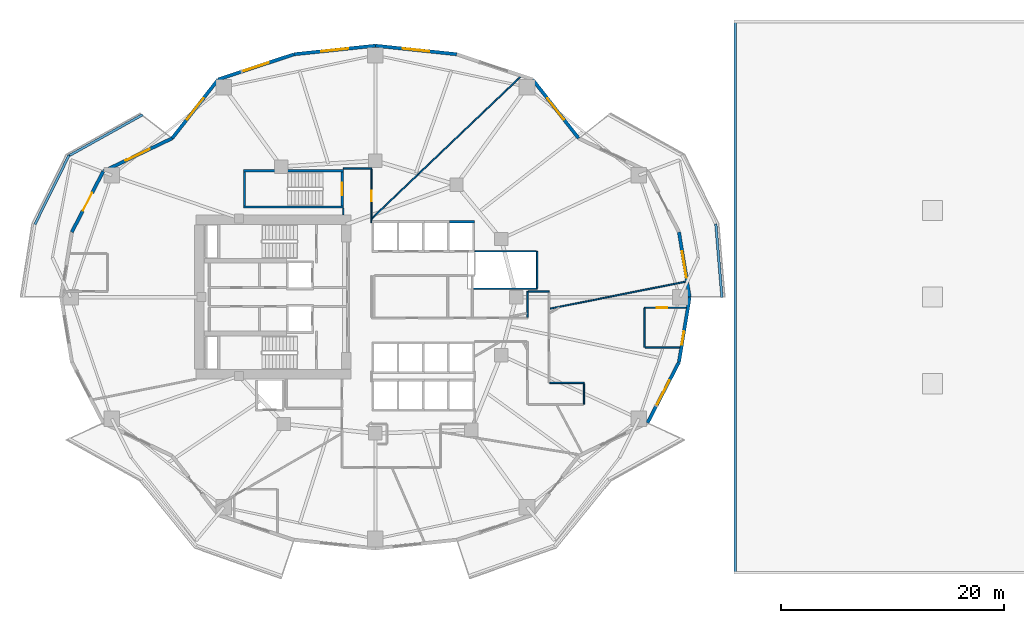
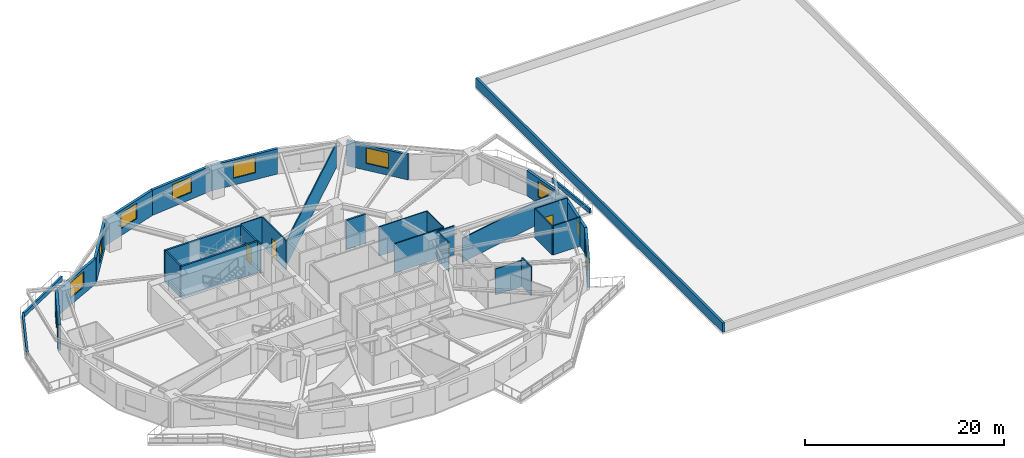
# One storey, part 6 of 13: 34 walls, 9 windows, 4 doors, 13 openings.
"""IFC4 building model written with IfcOpenShell, lengths in metres."""

from ifc_helpers import new_model, si_unit, direction, frame, frame_2d, origin, place, context, subcontext, project, spatial, rectangle, extrude, material, layer, layer_set, type_object, element, fill, save


model = new_model("IFC4")

# Units and contexts
model_context = context("Model", 3, precision=1e-05, world=origin(), true_north=direction((0.0, 1.0)))
body_context = subcontext(model_context, "Body", "Model", "MODEL_VIEW")
ifc_project = project(units=[si_unit("LENGTHUNIT", "METRE"), si_unit("AREAUNIT", "SQUARE_METRE"), si_unit("VOLUMEUNIT", "CUBIC_METRE"), si_unit("PLANEANGLEUNIT", "RADIAN"), si_unit("MASSUNIT", "GRAM", prefix="KILO")], contexts=[model_context])

# Site, building, storey
site_placement = place(None, origin())
site = spatial("IfcSite", under=ifc_project, at=site_placement, CompositionType="ELEMENT")
building_placement = place(site_placement, origin())
building = spatial("IfcBuilding", under=site, at=building_placement, Name="Kolvaren Gate Tower and Convention Centre", CompositionType="ELEMENT")
storey_placement = place(building_placement, frame((0.0, 0.0, 26.5)))
storey = spatial("IfcBuildingStorey", under=building, at=storey_placement, Name="L05", CompositionType="ELEMENT", Elevation=26.5)

# Walls
ifc_material_1 = material(Name="Piedmont Cream Honed Limestone Cladding", Category="masonry")
ifc_layer_1 = layer(ifc_material_1, 0.25)
ifc_layer_set_1 = layer_set([ifc_layer_1], Name="Piedmont Cream Honed Limestone Cladding")
wall_type_1 = type_object("IfcWallType", Name="ARCH-WL-PARAPET-250", PredefinedType="PARAPET", material=ifc_layer_set_1)
wall_1_placement = place(storey_placement, frame((62.324951171875, 2.199951171875, 0.0), z_axis=(0.0, 0.0, 1.0), x_axis=(0.0, 1.0, 0.0)))
element("IfcWall", 1, at=wall_1_placement, inside=storey, type_object=wall_type_1, Name="Convention Roof Stone Parapet W", PredefinedType="PARAPET", context=body_context, shape_type="SweptSolid", body=[
    extrude(rectangle(XDim=49.60009765625, YDim=0.25, at=frame_2d((24.800048828125, 0.0))), origin(), (0.0, 0.0, 1.0), 1.14990234375),
])
ifc_material_2 = material(Name="Fire-Rated Acoustic Gypsum Stud Partition", Category="gypsum")
ifc_layer_2 = layer(ifc_material_2, 0.1201171875)
ifc_layer_set_2 = layer_set([ifc_layer_2], Name="Fire-Rated Acoustic Gypsum Stud Partition")
wall_type_2 = type_object("IfcWallType", Name="ARCH-WL-PART-120", PredefinedType="PARTITIONING", material=ifc_layer_set_2)
wall_2_placement = place(storey_placement, frame((27.25, 34.35205078125, 0.0), z_axis=(0.0, 0.0, 1.0), x_axis=(0.0, 1.0, 0.0)))
element("IfcWall", 2, at=wall_2_placement, inside=storey, type_object=wall_type_2, Name="Interior Partition WL-L05-INT-021", PredefinedType="PARTITIONING", context=body_context, shape_type="SweptSolid", body=[
    extrude(rectangle(XDim=0.60595703125, YDim=0.1201171875, at=frame_2d((0.302978515625, 0.0))), origin(), (0.0, 0.0, 1.0), 3.570068359375),
])
wall_3_placement = place(storey_placement, frame((27.25, 38.5, 0.0), z_axis=(0.0, 0.0, 1.0), x_axis=(1.0, 0.0, 0.0)))
element("IfcWall", 3, at=wall_3_placement, inside=storey, type_object=wall_type_2, Name="Interior Partition WL-L05-INT-022", PredefinedType="PARTITIONING", context=body_context, shape_type="SweptSolid", body=[
    extrude(rectangle(XDim=2.530029296875, YDim=0.1201171875, at=frame_2d((1.26513671875, 0.0))), origin(), (0.0, 0.0, 1.0), 3.570068359375),
])

# Wall, opening, door
wall_4_placement = place(storey_placement, frame((29.780029296875, 33.639892578125, 0.0), z_axis=(0.0, 0.0, 1.0), x_axis=(0.0, 1.0, 0.0)))
wall_4 = element("IfcWall", 4, at=wall_4_placement, inside=storey, type_object=wall_type_2, Name="Interior Partition WL-L05-INT-025", PredefinedType="PARTITIONING", context=body_context, shape_type="SweptSolid", body=[
    extrude(rectangle(XDim=4.798095703125, YDim=0.1201171875, at=frame_2d((2.39892578125, 0.0))), origin(), (0.0, 0.0, 1.0), 3.570068359375),
])
opening_1_placement = place(wall_4_placement, frame((1.924072265625, 0.0, 0.0)))
opening_1 = element("IfcOpeningElement", 5, at=opening_1_placement, cuts=wall_4, Name="Opening DR-01", PredefinedType="OPENING", context=body_context, shape_type="SweptSolid", body=[
    extrude(rectangle(XDim=0.949951171875, YDim=2.10009765625, at=frame_2d((0.47509765625, 1.050048828125))), frame((0.0, 0.070068359375, 0.0), z_axis=(0.0, -1.0, 0.0), x_axis=(1.0, 0.0, 0.0)), (0.0, 0.0, 1.0), 0.14013671875),
])
ifc_material_3 = material(Name="Painted Architectural Steelwork ASTM A500 Grade C 345 MPa", Category="steel")
door_type_1 = type_object("IfcDoorType", Name="ARCH-DR-RISER-950", OperationType="SINGLE_SWING_RIGHT", PredefinedType="DOOR", material=ifc_material_3)
door_1_placement = place(opening_1_placement, origin())
door_1 = element("IfcDoor", 6, at=door_1_placement, inside=storey, type_object=door_type_1, Name="Open-Plan Office Suite Door", OperationType="SINGLE_SWING_LEFT", OverallHeight=2.10009765625, OverallWidth=0.949951171875, PredefinedType="DOOR", context=body_context, shape_type="SweptSolid", body=[
    extrude(rectangle(XDim=0.949951171875, YDim=2.10009765625, at=frame_2d((0.47509765625, 1.050048828125))), frame((0.0, 0.02490234375, 0.0), z_axis=(0.0, -1.0, 0.0), x_axis=(1.0, 0.0, 0.0)), (0.0, 0.0, 1.0), 0.050048828125),
])
fill(opening_1, door_1)

# Walls
wall_5_placement = place(storey_placement, frame((43.75, 25.197021484375, 0.0), z_axis=(0.0, 0.0, 1.0), x_axis=(0.0, 1.0, 0.0)))
element("IfcWall", 7, at=wall_5_placement, inside=storey, type_object=wall_type_2, Name="Interior Partition WL-L05-INT-029", PredefinedType="PARTITIONING", context=body_context, shape_type="SweptSolid", body=[
    extrude(rectangle(XDim=2.31298828125, YDim=0.1201171875, at=frame_2d((1.156494140625, 0.0))), origin(), (0.0, 0.0, 1.0), 3.570068359375),
])
wall_6_placement = place(storey_placement, frame((43.81201171875, 27.510009765625, 0.0), z_axis=(0.0, 0.0, 1.0), x_axis=(1.0, 0.0, 0.0)))
element("IfcWall", 8, at=wall_6_placement, inside=storey, type_object=wall_type_2, Name="Interior Partition WL-L05-INT-031", PredefinedType="PARTITIONING", context=body_context, shape_type="SweptSolid", body=[
    extrude(rectangle(XDim=1.85791015625, YDim=0.1201171875, at=frame_2d((0.928955078125, 0.0))), origin(), (0.0, 0.0, 1.0), 3.570068359375),
])
wall_7_placement = place(storey_placement, frame((45.73193359375, 19.320068359375, 0.0), z_axis=(0.0, 0.0, 1.0), x_axis=(1.0, 0.0, 0.0)))
element("IfcWall", 9, at=wall_7_placement, inside=storey, type_object=wall_type_2, Name="Interior Partition WL-L05-INT-033", PredefinedType="PARTITIONING", context=body_context, shape_type="SweptSolid", body=[
    extrude(rectangle(XDim=3.068115234375, YDim=0.1201171875, at=frame_2d((1.5341796875, 0.0))), origin(), (0.0, 0.0, 1.0), 3.205078125),
])
wall_8_placement = place(storey_placement, frame((48.800048828125, 17.39990234375, 0.0), z_axis=(0.0, 0.0, 1.0), x_axis=(0.0, 1.0, 0.0)))
element("IfcWall", 10, at=wall_8_placement, inside=storey, type_object=wall_type_2, Name="Interior Partition WL-L05-INT-034", PredefinedType="PARTITIONING", context=body_context, shape_type="SweptSolid", body=[
    extrude(rectangle(XDim=1.858154296875, YDim=0.1201171875, at=frame_2d((0.92919921875, 0.0))), origin(), (0.0, 0.0, 1.0), 3.570068359375),
])
wall_9_placement = place(storey_placement, frame((45.73193359375, 25.962158203125, 0.0), z_axis=(0.0, 0.0, 1.0), x_axis=(0.980745739886, 0.195289000445, 0.0)))
element("IfcWall", 11, at=wall_9_placement, inside=storey, type_object=wall_type_2, Name="Interior Partition WL-L05-INT-042", PredefinedType="PARTITIONING", context=body_context, shape_type="SweptSolid", body=[
    extrude(rectangle(XDim=12.375244140625, YDim=0.1201171875, at=frame_2d((6.1875, 0.0))), origin(), (0.0, 0.0, 1.0), 2.93408203125),
])

# Wall, opening, door
wall_10_placement = place(storey_placement, frame((54.198974609375, 26.050048828125, 0.0), z_axis=(0.0, 0.0, 1.0), x_axis=(1.0, 0.0, 0.0)))
wall_10 = element("IfcWall", 12, at=wall_10_placement, inside=storey, type_object=wall_type_2, Name="Interior Partition WL-L05-INT-053", PredefinedType="PARTITIONING", context=body_context, shape_type="SweptSolid", body=[
    extrude(rectangle(XDim=3.74072265625, YDim=0.1201171875, at=frame_2d((1.870361328125, 0.0))), origin(), (0.0, 0.0, 1.0), 3.570068359375),
])
opening_2_placement = place(wall_10_placement, frame((1.115234375, 0.0, 0.0)))
opening_2 = element("IfcOpeningElement", 13, at=opening_2_placement, cuts=wall_10, Name="Opening DI-01", PredefinedType="OPENING", context=body_context, shape_type="SweptSolid", body=[
    extrude(rectangle(XDim=0.949951171875, YDim=2.10009765625, at=frame_2d((0.47509765625, 1.050048828125))), frame((0.0, 0.070068359375, 0.0), z_axis=(0.0, -1.0, 0.0), x_axis=(1.0, 0.0, 0.0)), (0.0, 0.0, 1.0), 0.14013671875),
])
ifc_material_4 = material(Name="FSC Andean Oak Engineered Veneer Door Leaf", Category="wood")
door_type_2 = type_object("IfcDoorType", Name="ARCH-DR-INT-950", OperationType="SINGLE_SWING_LEFT", PredefinedType="DOOR", material=ifc_material_4)
door_2_placement = place(opening_2_placement, origin())
door_2 = element("IfcDoor", 14, at=door_2_placement, inside=storey, type_object=door_type_2, Name="Cellular Office Door", OperationType="SINGLE_SWING_LEFT", OverallHeight=2.10009765625, OverallWidth=0.949951171875, PredefinedType="DOOR", context=body_context, shape_type="SweptSolid", body=[
    extrude(rectangle(XDim=0.949951171875, YDim=2.10009765625, at=frame_2d((0.47509765625, 1.050048828125))), frame((0.0, 0.02490234375, 0.0), z_axis=(0.0, -1.0, 0.0), x_axis=(1.0, 0.0, 0.0)), (0.0, 0.0, 1.0), 0.050048828125),
])
fill(opening_2, door_2)

# Walls
wall_11_placement = place(storey_placement, frame((54.198974609375, 22.5, 0.0), z_axis=(0.0, 0.0, 1.0), x_axis=(0.0, 1.0, 0.0)))
element("IfcWall", 15, at=wall_11_placement, inside=storey, type_object=wall_type_2, Name="Interior Partition WL-L05-INT-054", PredefinedType="PARTITIONING", context=body_context, shape_type="SweptSolid", body=[
    extrude(rectangle(XDim=3.488037109375, YDim=0.1201171875, at=frame_2d((1.744140625, 0.0))), origin(), (0.0, 0.0, 1.0), 3.570068359375),
])
wall_12_placement = place(storey_placement, frame((54.260986328125, 22.5, 0.0), z_axis=(0.0, 0.0, 1.0), x_axis=(1.0, 0.0, 0.0)))
element("IfcWall", 16, at=wall_12_placement, inside=storey, type_object=wall_type_2, Name="Interior Partition WL-L05-INT-055", PredefinedType="PARTITIONING", context=body_context, shape_type="SweptSolid", body=[
    extrude(rectangle(XDim=3.094482421875, YDim=0.1201171875, at=frame_2d((1.54736328125, 0.0))), origin(), (0.0, 0.0, 1.0), 3.570068359375),
])
wall_13_placement = place(storey_placement, frame((38.876953125, 27.75, 0.0), z_axis=(0.0, 0.0, 1.0), x_axis=(1.0, 0.0, 0.0)))
element("IfcWall", 17, at=wall_13_placement, inside=storey, type_object=wall_type_2, Name="Interior Partition WL-L05-INT-056", PredefinedType="PARTITIONING", context=body_context, shape_type="SweptSolid", body=[
    extrude(rectangle(XDim=5.72314453125, YDim=0.1201171875, at=frame_2d((2.861572265625, 0.0))), origin(), (0.0, 0.0, 1.0), 3.570068359375),
])
wall_14_placement = place(storey_placement, frame((44.60009765625, 27.81201171875, 0.0), z_axis=(0.0, 0.0, 1.0), x_axis=(0.0, 1.0, 0.0)))
element("IfcWall", 18, at=wall_14_placement, inside=storey, type_object=wall_type_2, Name="Interior Partition WL-L05-INT-057", PredefinedType="PARTITIONING", context=body_context, shape_type="SweptSolid", body=[
    extrude(rectangle(XDim=3.2880859375, YDim=0.1201171875, at=frame_2d((1.64404296875, 0.0))), origin(), (0.0, 0.0, 1.0), 3.570068359375),
])
wall_15_placement = place(storey_placement, frame((39.02001953125, 31.10009765625, 0.0), z_axis=(0.0, 0.0, 1.0), x_axis=(1.0, 0.0, 0.0)))
element("IfcWall", 19, at=wall_15_placement, inside=storey, type_object=wall_type_2, Name="Interior Partition WL-L05-INT-058", PredefinedType="PARTITIONING", context=body_context, shape_type="SweptSolid", body=[
    extrude(rectangle(XDim=5.51806640625, YDim=0.1201171875, at=frame_2d((2.759033203125, 0.0))), origin(), (0.0, 0.0, 1.0), 3.570068359375),
])
wall_16_placement = place(storey_placement, frame((29.85693359375, 34.075927734375, 0.0), z_axis=(0.0, 0.0, 1.0), x_axis=(0.723206588645, 0.690631761607, 0.0)))
element("IfcWall", 20, at=wall_16_placement, inside=storey, type_object=wall_type_2, Name="Interior Partition WL-L05-INT-059", PredefinedType="PARTITIONING", context=body_context, shape_type="SweptSolid", body=[
    extrude(rectangle(XDim=18.272216796875, YDim=0.1201171875, at=frame_2d((9.13623046875, 0.0))), origin(), (0.0, 0.0, 1.0), 2.93408203125),
])
ifc_layer_3 = layer(ifc_material_1, 0.219970703125)
ifc_layer_set_3 = layer_set([ifc_layer_3], Name="Piedmont Cream Honed Limestone Cladding")
wall_type_3 = type_object("IfcWallType", Name="ARCH-WL-PLANTER-220", PredefinedType="PARAPET", material=ifc_layer_set_3)
wall_17_placement = place(storey_placement, frame((60.592041015625, 33.560791015625, 0.0), z_axis=(0.0, 0.0, 1.0), x_axis=(0.08310047353, -0.996541173911, 0.0)))
element("IfcWall", 21, at=wall_17_placement, inside=storey, type_object=wall_type_3, Name="Vertical-Forest Balcony Stone Planter Kerb PK-L05-1.1", PredefinedType="PARAPET", context=body_context, shape_type="SweptSolid", body=[
    extrude(rectangle(XDim=6.61328125, YDim=0.219970703125, at=frame_2d((3.306640625, 0.0))), origin(), (0.0, 0.0, 1.0), 0.52001953125),
])
wall_18_placement = place(storey_placement, frame((2.685302734375, 39.640625, 0.0), z_axis=(0.0, 0.0, 1.0), x_axis=(0.873500119739, 0.48682393205, 0.0)))
element("IfcWall", 22, at=wall_18_placement, inside=storey, type_object=wall_type_3, Name="Vertical-Forest Balcony Stone Planter Kerb PK-L05-2.1", PredefinedType="PARAPET", context=body_context, shape_type="SweptSolid", body=[
    extrude(rectangle(XDim=7.56201171875, YDim=0.219970703125, at=frame_2d((3.781005859375, 0.0))), origin(), (0.0, 0.0, 1.0), 0.52001953125),
])
wall_19_placement = place(storey_placement, frame((-0.3544921875, 33.50244140625, 0.0), z_axis=(0.0, 0.0, 1.0), x_axis=(0.443578479433, 0.8962355341, 0.0)))
element("IfcWall", 23, at=wall_19_placement, inside=storey, type_object=wall_type_3, Name="Vertical-Forest Balcony Stone Planter Kerb PK-L05-2.2", PredefinedType="PARAPET", context=body_context, shape_type="SweptSolid", body=[
    extrude(rectangle(XDim=6.9111328125, YDim=0.219970703125, at=frame_2d((3.45556640625, 0.0))), origin(), (0.0, 0.0, 1.0), 0.52001953125),
])
ifc_material_5 = material(Name="Autoclaved Aerated Masonry Blockwork Class 4 (4.0 MPa)", Category="masonry")
ifc_layer_4 = layer(ifc_material_5, 0.199951171875)
ifc_layer_set_4 = layer_set([ifc_layer_4], Name="Autoclaved Aerated Masonry Blockwork Class 4 (4.0 MPa)")
wall_type_4 = type_object("IfcWallType", Name="ARCH-WL-SHAFT-200", PredefinedType="SOLIDWALL", material=ifc_layer_set_4)
wall_20_placement = place(storey_placement, frame((36.75, 33.75, 0.0), z_axis=(0.0, 0.0, 1.0), x_axis=(1.0, 0.0, 0.0)))
element("IfcWall", 24, at=wall_20_placement, inside=storey, type_object=wall_type_4, Name="Elevator PL-04 L05 Fire Shaft Wall N", PredefinedType="SOLIDWALL", context=body_context, shape_type="SweptSolid", body=[
    extrude(rectangle(XDim=2.25, YDim=0.199951171875, at=frame_2d((1.125, 0.0))), origin(), (0.0, 0.0, 1.0), 3.570068359375),
])

# Wall, opening, window
ifc_layer_5 = layer(ifc_material_1, 0.300048828125)
ifc_layer_set_5 = layer_set([ifc_layer_5], Name="Piedmont Cream Honed Limestone Cladding")
wall_type_5 = type_object("IfcWallType", Name="ARCH-WL-STONE-300", PredefinedType="SOLIDWALL", material=ifc_layer_set_5)
wall_21_placement = place(storey_placement, frame((57.291748046875, 32.823486328125, 0.0), z_axis=(0.0, 0.0, 1.0), x_axis=(0.162366057843, -0.98673059305, 0.0)))
wall_21 = element("IfcWall", 25, at=wall_21_placement, inside=storey, type_object=wall_type_5, Name="Tower L05 Honed Stone Spandrel Wall EW-00", PredefinedType="SOLIDWALL", context=body_context, shape_type="SweptSolid", body=[
    extrude(rectangle(XDim=5.90185546875, YDim=0.300048828125, at=frame_2d((2.950927734375, 0.0))), origin(), (0.0, 0.0, 1.0), 3.093017578125),
])
opening_3_placement = place(wall_21_placement, frame((1.7509765625, 0.0, 0.85009765625)))
opening_3 = element("IfcOpeningElement", 26, at=opening_3_placement, cuts=wall_21, Name="Opening W-01", PredefinedType="OPENING", context=body_context, shape_type="SweptSolid", body=[
    extrude(rectangle(XDim=2.39990234375, YDim=1.89990234375, at=frame_2d((1.199951171875, 0.949951171875))), frame((0.0, 0.159912109375, 0.0), z_axis=(0.0, -1.0, 0.0), x_axis=(1.0, 0.0, 0.0)), (0.0, 0.0, 1.0), 0.320068359375),
])
ifc_material_6 = material(Name="Low-E Triple Insulated Glazing Unit 44 mm", Category="glass")
window_type_1 = type_object("IfcWindowType", Name="ARCH-WN-OFF-2400", PartitioningType="SINGLE_PANEL", PredefinedType="WINDOW", material=ifc_material_6)
window_1_placement = place(opening_3_placement, origin())
window_1 = element("IfcWindow", 27, at=window_1_placement, inside=storey, type_object=window_type_1, Name="Tower L05 Punched Stone Facade Window W-00", OverallHeight=1.89990234375, OverallWidth=2.39990234375, PartitioningType="SINGLE_PANEL", PredefinedType="WINDOW", context=body_context, shape_type="SweptSolid", body=[
    extrude(rectangle(XDim=2.39990234375, YDim=1.89990234375, at=frame_2d((1.199951171875, 0.949951171875))), frame((0.0, 0.030029296875, 0.0), z_axis=(0.0, -1.0, 0.0), x_axis=(1.0, 0.0, 0.0)), (0.0, 0.0, 1.0), 0.06005859375),
])
fill(opening_3, window_1)

wall_22_placement = place(storey_placement, frame((44.1875, 46.485595703125, 0.0), z_axis=(0.0, 0.0, 1.0), x_axis=(0.616421309777, -0.787416515482, 0.0)))
wall_22 = element("IfcWall", 28, at=wall_22_placement, inside=storey, type_object=wall_type_5, Name="Tower L05 Honed Stone Spandrel Wall EW-03", PredefinedType="SOLIDWALL", context=body_context, shape_type="SweptSolid", body=[
    extrude(rectangle(XDim=6.6962890625, YDim=0.300048828125, at=frame_2d((3.34814453125, 0.0))), origin(), (0.0, 0.0, 1.0), 3.093017578125),
])
opening_4_placement = place(wall_22_placement, frame((2.14794921875, 0.0, 0.85009765625)))
opening_4 = element("IfcOpeningElement", 29, at=opening_4_placement, cuts=wall_22, Name="Opening W-01", PredefinedType="OPENING", context=body_context, shape_type="SweptSolid", body=[
    extrude(rectangle(XDim=2.39990234375, YDim=1.89990234375, at=frame_2d((1.199951171875, 0.949951171875))), frame((0.0, 0.159912109375, 0.0), z_axis=(0.0, -1.0, 0.0), x_axis=(1.0, 0.0, 0.0)), (0.0, 0.0, 1.0), 0.320068359375),
])
window_2_placement = place(opening_4_placement, origin())
window_2 = element("IfcWindow", 30, at=window_2_placement, inside=storey, type_object=window_type_1, Name="Tower L05 Punched Stone Facade Window W-03", OverallHeight=1.89990234375, OverallWidth=2.39990234375, PartitioningType="SINGLE_PANEL", PredefinedType="WINDOW", context=body_context, shape_type="SweptSolid", body=[
    extrude(rectangle(XDim=2.39990234375, YDim=1.89990234375, at=frame_2d((1.199951171875, 0.949951171875))), frame((0.0, 0.030029296875, 0.0), z_axis=(0.0, -1.0, 0.0), x_axis=(1.0, 0.0, 0.0)), (0.0, 0.0, 1.0), 0.06005859375),
])
fill(opening_4, window_2)

wall_23_placement = place(storey_placement, frame((30.125, 49.5, 0.0), z_axis=(0.0, 0.0, 1.0), x_axis=(0.994500334317, -0.104733399844, 0.0)))
wall_23 = element("IfcWall", 31, at=wall_23_placement, inside=storey, type_object=wall_type_5, Name="Tower L05 Honed Stone Spandrel Wall EW-05", PredefinedType="SOLIDWALL", context=body_context, shape_type="SweptSolid", body=[
    extrude(rectangle(XDim=7.319580078125, YDim=0.300048828125, at=frame_2d((3.65966796875, 0.0))), origin(), (0.0, 0.0, 1.0), 3.093017578125),
])
opening_5_placement = place(wall_23_placement, frame((2.4599609375, 0.0, 0.85009765625)))
opening_5 = element("IfcOpeningElement", 32, at=opening_5_placement, cuts=wall_23, Name="Opening W-01", PredefinedType="OPENING", context=body_context, shape_type="SweptSolid", body=[
    extrude(rectangle(XDim=2.39990234375, YDim=1.89990234375, at=frame_2d((1.199951171875, 0.949951171875))), frame((0.0, 0.159912109375, 0.0), z_axis=(0.0, -1.0, 0.0), x_axis=(1.0, 0.0, 0.0)), (0.0, 0.0, 1.0), 0.320068359375),
])
window_3_placement = place(opening_5_placement, origin())
window_3 = element("IfcWindow", 33, at=window_3_placement, inside=storey, type_object=window_type_1, Name="Tower L05 Punched Stone Facade Window W-05", OverallHeight=1.89990234375, OverallWidth=2.39990234375, PartitioningType="SINGLE_PANEL", PredefinedType="WINDOW", context=body_context, shape_type="SweptSolid", body=[
    extrude(rectangle(XDim=2.39990234375, YDim=1.89990234375, at=frame_2d((1.199951171875, 0.949951171875))), frame((0.0, 0.030029296875, 0.0), z_axis=(0.0, -1.0, 0.0), x_axis=(1.0, 0.0, 0.0)), (0.0, 0.0, 1.0), 0.06005859375),
])
fill(opening_5, window_3)

wall_24_placement = place(storey_placement, frame((22.845703125, 48.7333984375, 0.0), z_axis=(0.0, 0.0, 1.0), x_axis=(0.994500334317, 0.104733399844, 0.0)))
wall_24 = element("IfcWall", 34, at=wall_24_placement, inside=storey, type_object=wall_type_5, Name="Tower L05 Honed Stone Spandrel Wall EW-06", PredefinedType="SOLIDWALL", context=body_context, shape_type="SweptSolid", body=[
    extrude(rectangle(XDim=7.319580078125, YDim=0.300048828125, at=frame_2d((3.65966796875, 0.0))), origin(), (0.0, 0.0, 1.0), 3.093017578125),
])
opening_6_placement = place(wall_24_placement, frame((2.4599609375, 0.0, 0.85009765625)))
opening_6 = element("IfcOpeningElement", 35, at=opening_6_placement, cuts=wall_24, Name="Opening W-01", PredefinedType="OPENING", context=body_context, shape_type="SweptSolid", body=[
    extrude(rectangle(XDim=2.39990234375, YDim=1.89990234375, at=frame_2d((1.199951171875, 0.949951171875))), frame((0.0, 0.159912109375, 0.0), z_axis=(0.0, -1.0, 0.0), x_axis=(1.0, 0.0, 0.0)), (0.0, 0.0, 1.0), 0.320068359375),
])
window_4_placement = place(opening_6_placement, origin())
window_4 = element("IfcWindow", 36, at=window_4_placement, inside=storey, type_object=window_type_1, Name="Tower L05 Punched Stone Facade Window W-06", OverallHeight=1.89990234375, OverallWidth=2.39990234375, PartitioningType="SINGLE_PANEL", PredefinedType="WINDOW", context=body_context, shape_type="SweptSolid", body=[
    extrude(rectangle(XDim=2.39990234375, YDim=1.89990234375, at=frame_2d((1.199951171875, 0.949951171875))), frame((0.0, 0.030029296875, 0.0), z_axis=(0.0, -1.0, 0.0), x_axis=(1.0, 0.0, 0.0)), (0.0, 0.0, 1.0), 0.06005859375),
])
fill(opening_6, window_4)

wall_25_placement = place(storey_placement, frame((16.0625, 46.485595703125, 0.0), z_axis=(0.0, 0.0, 1.0), x_axis=(0.949238715533, 0.31455661006, 0.0)))
wall_25 = element("IfcWall", 37, at=wall_25_placement, inside=storey, type_object=wall_type_5, Name="Tower L05 Honed Stone Spandrel Wall EW-07", PredefinedType="SOLIDWALL", context=body_context, shape_type="SweptSolid", body=[
    extrude(rectangle(XDim=7.14599609375, YDim=0.300048828125, at=frame_2d((3.572998046875, 0.0))), origin(), (0.0, 0.0, 1.0), 3.093017578125),
])
opening_7_placement = place(wall_25_placement, frame((2.373046875, 0.0, 0.85009765625)))
opening_7 = element("IfcOpeningElement", 38, at=opening_7_placement, cuts=wall_25, Name="Opening W-01", PredefinedType="OPENING", context=body_context, shape_type="SweptSolid", body=[
    extrude(rectangle(XDim=2.39990234375, YDim=1.89990234375, at=frame_2d((1.199951171875, 0.949951171875))), frame((0.0, 0.159912109375, 0.0), z_axis=(0.0, -1.0, 0.0), x_axis=(1.0, 0.0, 0.0)), (0.0, 0.0, 1.0), 0.320068359375),
])
window_5_placement = place(opening_7_placement, origin())
window_5 = element("IfcWindow", 39, at=window_5_placement, inside=storey, type_object=window_type_1, Name="Tower L05 Punched Stone Facade Window W-07", OverallHeight=1.89990234375, OverallWidth=2.39990234375, PartitioningType="SINGLE_PANEL", PredefinedType="WINDOW", context=body_context, shape_type="SweptSolid", body=[
    extrude(rectangle(XDim=2.39990234375, YDim=1.89990234375, at=frame_2d((1.199951171875, 0.949951171875))), frame((0.0, 0.030029296875, 0.0), z_axis=(0.0, -1.0, 0.0), x_axis=(1.0, 0.0, 0.0)), (0.0, 0.0, 1.0), 0.06005859375),
])
fill(opening_7, window_5)

wall_26_placement = place(storey_placement, frame((11.934814453125, 41.212890625, 0.0), z_axis=(0.0, 0.0, 1.0), x_axis=(0.616421309777, 0.787416515482, 0.0)))
wall_26 = element("IfcWall", 40, at=wall_26_placement, inside=storey, type_object=wall_type_5, Name="Tower L05 Honed Stone Spandrel Wall EW-08", PredefinedType="SOLIDWALL", context=body_context, shape_type="SweptSolid", body=[
    extrude(rectangle(XDim=6.6962890625, YDim=0.300048828125, at=frame_2d((3.34814453125, 0.0))), origin(), (0.0, 0.0, 1.0), 3.093017578125),
])
opening_8_placement = place(wall_26_placement, frame((2.14794921875, 0.0, 0.85009765625)))
opening_8 = element("IfcOpeningElement", 41, at=opening_8_placement, cuts=wall_26, Name="Opening W-01", PredefinedType="OPENING", context=body_context, shape_type="SweptSolid", body=[
    extrude(rectangle(XDim=2.39990234375, YDim=1.89990234375, at=frame_2d((1.199951171875, 0.949951171875))), frame((0.0, 0.159912109375, 0.0), z_axis=(0.0, -1.0, 0.0), x_axis=(1.0, 0.0, 0.0)), (0.0, 0.0, 1.0), 0.320068359375),
])
window_6_placement = place(opening_8_placement, origin())
window_6 = element("IfcWindow", 42, at=window_6_placement, inside=storey, type_object=window_type_1, Name="Tower L05 Punched Stone Facade Window W-08", OverallHeight=1.89990234375, OverallWidth=2.39990234375, PartitioningType="SINGLE_PANEL", PredefinedType="WINDOW", context=body_context, shape_type="SweptSolid", body=[
    extrude(rectangle(XDim=2.39990234375, YDim=1.89990234375, at=frame_2d((1.199951171875, 0.949951171875))), frame((0.0, 0.030029296875, 0.0), z_axis=(0.0, -1.0, 0.0), x_axis=(1.0, 0.0, 0.0)), (0.0, 0.0, 1.0), 0.06005859375),
])
fill(opening_8, window_6)

wall_27_placement = place(storey_placement, frame((5.76806640625, 38.25, 0.0), z_axis=(0.0, 0.0, 1.0), x_axis=(0.901360393999, 0.433069786673, 0.0)))
wall_27 = element("IfcWall", 43, at=wall_27_placement, inside=storey, type_object=wall_type_5, Name="Tower L05 Honed Stone Spandrel Wall EW-09", PredefinedType="SOLIDWALL", context=body_context, shape_type="SweptSolid", body=[
    extrude(rectangle(XDim=6.841552734375, YDim=0.300048828125, at=frame_2d((3.4208984375, 0.0))), origin(), (0.0, 0.0, 1.0), 3.093017578125),
])
opening_9_placement = place(wall_27_placement, frame((2.220947265625, 0.0, 0.85009765625)))
opening_9 = element("IfcOpeningElement", 44, at=opening_9_placement, cuts=wall_27, Name="Opening W-01", PredefinedType="OPENING", context=body_context, shape_type="SweptSolid", body=[
    extrude(rectangle(XDim=2.39990234375, YDim=1.89990234375, at=frame_2d((1.199951171875, 0.949951171875))), frame((0.0, 0.159912109375, 0.0), z_axis=(0.0, -1.0, 0.0), x_axis=(1.0, 0.0, 0.0)), (0.0, 0.0, 1.0), 0.320068359375),
])
window_7_placement = place(opening_9_placement, origin())
window_7 = element("IfcWindow", 45, at=window_7_placement, inside=storey, type_object=window_type_1, Name="Tower L05 Punched Stone Facade Window W-09", OverallHeight=1.89990234375, OverallWidth=2.39990234375, PartitioningType="SINGLE_PANEL", PredefinedType="WINDOW", context=body_context, shape_type="SweptSolid", body=[
    extrude(rectangle(XDim=2.39990234375, YDim=1.89990234375, at=frame_2d((1.199951171875, 0.949951171875))), frame((0.0, 0.030029296875, 0.0), z_axis=(0.0, -1.0, 0.0), x_axis=(1.0, 0.0, 0.0)), (0.0, 0.0, 1.0), 0.06005859375),
])
fill(opening_9, window_7)

# Wall, opening, door
wall_28_placement = place(storey_placement, frame((2.958251953125, 32.823486328125, 0.0), z_axis=(0.0, 0.0, 1.0), x_axis=(0.459809804413, 0.88801742312, 0.0)))
wall_28 = element("IfcWall", 46, at=wall_28_placement, inside=storey, type_object=wall_type_5, Name="Tower L05 Honed Stone Spandrel Wall EW-10", PredefinedType="SOLIDWALL", context=body_context, shape_type="SweptSolid", body=[
    extrude(rectangle(XDim=6.11083984375, YDim=0.300048828125, at=frame_2d((3.055419921875, 0.0))), origin(), (0.0, 0.0, 1.0), 3.093017578125),
])
opening_10_placement = place(wall_28_placement, frame((2.155029296875, 0.0, 0.0)))
opening_10 = element("IfcOpeningElement", 47, at=opening_10_placement, cuts=wall_28, Name="Opening DB-01", PredefinedType="OPENING", context=body_context, shape_type="SweptSolid", body=[
    extrude(rectangle(XDim=1.800048828125, YDim=2.25, at=frame_2d((0.89990234375, 1.125))), frame((0.0, 0.159912109375, 0.0), z_axis=(0.0, -1.0, 0.0), x_axis=(1.0, 0.0, 0.0)), (0.0, 0.0, 1.0), 0.320068359375),
])
ifc_material_7 = material(Name="Anodized Architectural Aluminium Alloy 6063-T6", Category="aluminium")
door_type_3 = type_object("IfcDoorType", Name="ARCH-DR-BALC-1800", OperationType="SLIDING_TO_LEFT", PredefinedType="DOOR", material=ifc_material_7)
door_3_placement = place(opening_10_placement, origin())
door_3 = element("IfcDoor", 48, at=door_3_placement, inside=storey, type_object=door_type_3, Name="Planted Sky Terrace Access Door DB-L05-10", OperationType="SLIDING_TO_LEFT", OverallHeight=2.25, OverallWidth=1.800048828125, PredefinedType="DOOR", context=body_context, shape_type="SweptSolid", body=[
    extrude(rectangle(XDim=1.800048828125, YDim=2.25, at=frame_2d((0.89990234375, 1.125))), frame((0.0, 0.02490234375, 0.0), z_axis=(0.0, -1.0, 0.0), x_axis=(1.0, 0.0, 0.0)), (0.0, 0.0, 1.0), 0.050048828125),
])
fill(opening_10, door_3)

# Wall, opening, window
wall_29_placement = place(storey_placement, frame((54.48193359375, 15.75, 0.0), z_axis=(0.0, 0.0, 1.0), x_axis=(0.459809804413, 0.88801742312, 0.0)))
wall_29 = element("IfcWall", 49, at=wall_29_placement, inside=storey, type_object=wall_type_5, Name="Tower L05 Honed Stone Spandrel Wall EW-22", PredefinedType="SOLIDWALL", context=body_context, shape_type="SweptSolid", body=[
    extrude(rectangle(XDim=6.11083984375, YDim=0.300048828125, at=frame_2d((3.055419921875, 0.0))), origin(), (0.0, 0.0, 1.0), 3.093017578125),
])
opening_11_placement = place(wall_29_placement, frame((1.85498046875, 0.0, 0.85009765625)))
opening_11 = element("IfcOpeningElement", 50, at=opening_11_placement, cuts=wall_29, Name="Opening W-01", PredefinedType="OPENING", context=body_context, shape_type="SweptSolid", body=[
    extrude(rectangle(XDim=2.39990234375, YDim=1.89990234375, at=frame_2d((1.199951171875, 0.949951171875))), frame((0.0, 0.159912109375, 0.0), z_axis=(0.0, -1.0, 0.0), x_axis=(1.0, 0.0, 0.0)), (0.0, 0.0, 1.0), 0.320068359375),
])
window_8_placement = place(opening_11_placement, origin())
window_8 = element("IfcWindow", 51, at=window_8_placement, inside=storey, type_object=window_type_1, Name="Tower L05 Punched Stone Facade Window W-22", OverallHeight=1.89990234375, OverallWidth=2.39990234375, PartitioningType="SINGLE_PANEL", PredefinedType="WINDOW", context=body_context, shape_type="SweptSolid", body=[
    extrude(rectangle(XDim=2.39990234375, YDim=1.89990234375, at=frame_2d((1.199951171875, 0.949951171875))), frame((0.0, 0.030029296875, 0.0), z_axis=(0.0, -1.0, 0.0), x_axis=(1.0, 0.0, 0.0)), (0.0, 0.0, 1.0), 0.06005859375),
])
fill(opening_11, window_8)

wall_30_placement = place(storey_placement, frame((57.291748046875, 21.176513671875, 0.0), z_axis=(0.0, 0.0, 1.0), x_axis=(0.162366057843, 0.98673059305, 0.0)))
wall_30 = element("IfcWall", 52, at=wall_30_placement, inside=storey, type_object=wall_type_5, Name="Tower L05 Honed Stone Spandrel Wall EW-23", PredefinedType="SOLIDWALL", context=body_context, shape_type="SweptSolid", body=[
    extrude(rectangle(XDim=5.90185546875, YDim=0.300048828125, at=frame_2d((2.950927734375, 0.0))), origin(), (0.0, 0.0, 1.0), 3.093017578125),
])
opening_12_placement = place(wall_30_placement, frame((1.580078125, 0.0, 0.719970703125)))
opening_12 = element("IfcOpeningElement", 53, at=opening_12_placement, cuts=wall_30, Name="Opening W-04", PredefinedType="OPENING", context=body_context, shape_type="SweptSolid", body=[
    extrude(rectangle(XDim=1.199951171875, YDim=1.64990234375, at=frame_2d((0.60009765625, 0.824951171875))), frame((0.0, 0.159912109375, 0.0), z_axis=(0.0, -1.0, 0.0), x_axis=(1.0, 0.0, 0.0)), (0.0, 0.0, 1.0), 0.320068359375),
])
window_type_2 = type_object("IfcWindowType", Name="ARCH-WN-NARROW-1200", PartitioningType="SINGLE_PANEL", PredefinedType="WINDOW", material=ifc_material_6)
window_9_placement = place(opening_12_placement, origin())
window_9 = element("IfcWindow", 54, at=window_9_placement, inside=storey, type_object=window_type_2, Name="Tower L05 Punched Stone Facade Window W-23", OverallHeight=1.64990234375, OverallWidth=1.199951171875, PartitioningType="SINGLE_PANEL", PredefinedType="WINDOW", context=body_context, shape_type="SweptSolid", body=[
    extrude(rectangle(XDim=1.199951171875, YDim=1.64990234375, at=frame_2d((0.60009765625, 0.824951171875))), frame((0.0, 0.030029296875, 0.0), z_axis=(0.0, -1.0, 0.0), x_axis=(1.0, 0.0, 0.0)), (0.0, 0.0, 1.0), 0.06005859375),
])
fill(opening_12, window_9)

# Wall, opening, door
ifc_material_8 = material(Name="Concrete C50/60", Category="concrete")
ifc_layer_6 = layer(ifc_material_8, 0.199951171875)
ifc_layer_set_6 = layer_set([ifc_layer_6], Name="Concrete C50/60")
wall_type_6 = type_object("IfcWallType", Name="STR-WL-SHAFT-200", PredefinedType="SHEAR", material=ifc_layer_set_6)
wall_31_placement = place(storey_placement, frame((27.14990234375, 35.159912109375, -0.280029296875), z_axis=(0.0, 0.0, 1.0), x_axis=(0.0, 1.0, 0.0)))
wall_31 = element("IfcWall", 55, at=wall_31_placement, inside=storey, type_object=wall_type_6, Name="Tower Mid-Zone Exit Stair ST-T3 L05 Structural Shear Enclosure Wall NEAR", PredefinedType="SHEAR", context=body_context, shape_type="SweptSolid", body=[
    extrude(rectangle(XDim=3.0400390625, YDim=0.199951171875, at=frame_2d((1.52001953125, 0.0))), origin(), (0.0, 0.0, 1.0), 3.85009765625),
])
opening_13_placement = place(wall_31_placement, frame((0.969970703125, 0.0, 0.280029296875)))
opening_13 = element("IfcOpeningElement", 56, at=opening_13_placement, cuts=wall_31, Name="Opening DS-01", PredefinedType="OPENING", context=body_context, shape_type="SweptSolid", body=[
    extrude(rectangle(XDim=1.10009765625, YDim=2.14990234375, at=frame_2d((0.550048828125, 1.074951171875))), frame((0.0, 0.10986328125, 0.0), z_axis=(0.0, -1.0, 0.0), x_axis=(1.0, 0.0, 0.0)), (0.0, 0.0, 1.0), 0.219970703125),
])
door_type_4 = type_object("IfcDoorType", Name="ARCH-DR-STAIR-1100", OperationType="SINGLE_SWING_LEFT", PredefinedType="DOOR", material=ifc_material_3)
door_4_placement = place(opening_13_placement, origin())
door_4 = element("IfcDoor", 57, at=door_4_placement, inside=storey, type_object=door_type_4, Name="Tower Mid-Zone Exit Stair ST-T3 L05 Fire Exit Stair Door", OperationType="SINGLE_SWING_LEFT", OverallHeight=2.14990234375, OverallWidth=1.10009765625, PredefinedType="DOOR", context=body_context, shape_type="SweptSolid", body=[
    extrude(rectangle(XDim=1.10009765625, YDim=2.14990234375, at=frame_2d((0.550048828125, 1.074951171875))), frame((0.0, 0.02490234375, 0.0), z_axis=(0.0, -1.0, 0.0), x_axis=(1.0, 0.0, 0.0)), (0.0, 0.0, 1.0), 0.050048828125),
])
fill(opening_13, door_4)

# Walls
wall_32_placement = place(storey_placement, frame((18.39990234375, 35.159912109375, -0.280029296875), z_axis=(0.0, 0.0, 1.0), x_axis=(0.0, 1.0, 0.0)))
element("IfcWall", 58, at=wall_32_placement, inside=storey, type_object=wall_type_6, Name="Tower Mid-Zone Exit Stair ST-T3 L05 Structural Shear Enclosure Wall FAR", PredefinedType="SHEAR", context=body_context, shape_type="SweptSolid", body=[
    extrude(rectangle(XDim=3.0400390625, YDim=0.199951171875, at=frame_2d((1.52001953125, 0.0))), origin(), (0.0, 0.0, 1.0), 3.85009765625),
])
for number, where, z_axis, x_axis, name in (
    (59, (18.300048828125, 38.300048828125, -0.280029296875), (0.0, 0.0, 1.0), (1.0, 0.0, 0.0), "Tower Mid-Zone Exit Stair ST-T3 L05 Structural Shear Enclosure Wall LEFT"),
    (60, (18.300048828125, 35.06005859375, -0.280029296875), (0.0, 0.0, 1.0), (1.0, 0.0, 0.0), "Tower Mid-Zone Exit Stair ST-T3 L05 Structural Shear Enclosure Wall RGHT"),
):
    element("IfcWall", number, at=place(storey_placement, frame(where, z_axis=z_axis, x_axis=x_axis)), inside=storey, type_object=wall_type_6, Name=name, PredefinedType="SHEAR", context=body_context, shape_type="SweptSolid", body=[
        extrude(rectangle(XDim=8.949951171875, YDim=0.199951171875, at=frame_2d((4.47509765625, 0.0))), origin(), (0.0, 0.0, 1.0), 3.85009765625),
    ])

save(model, "model.ifc")
